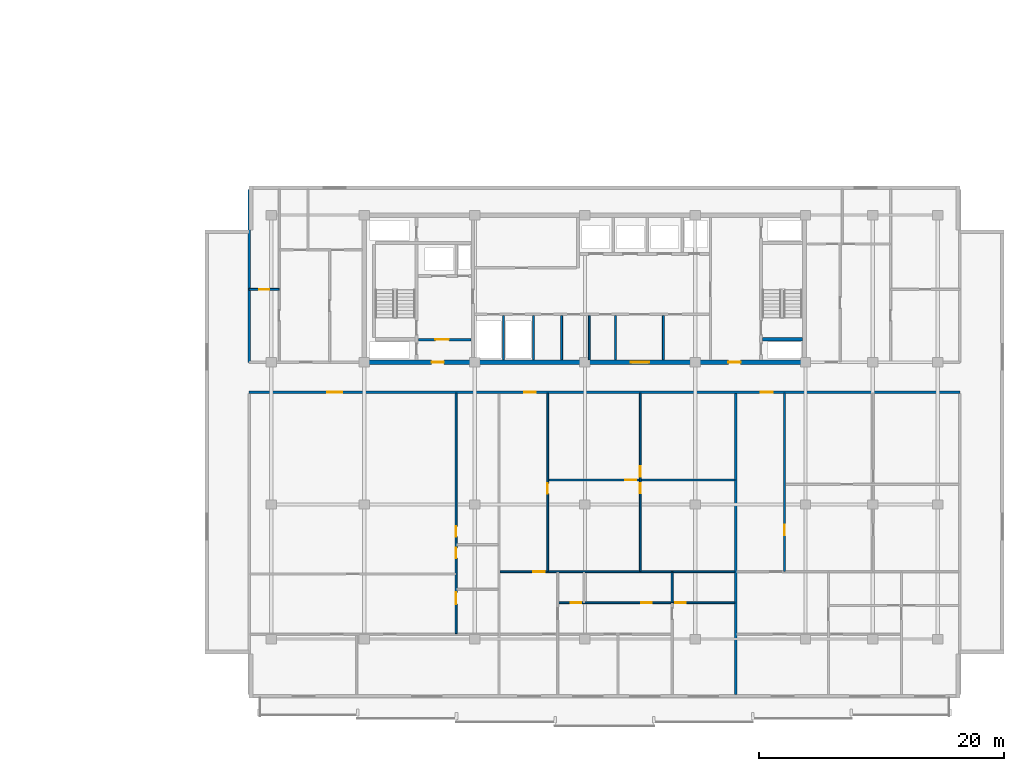
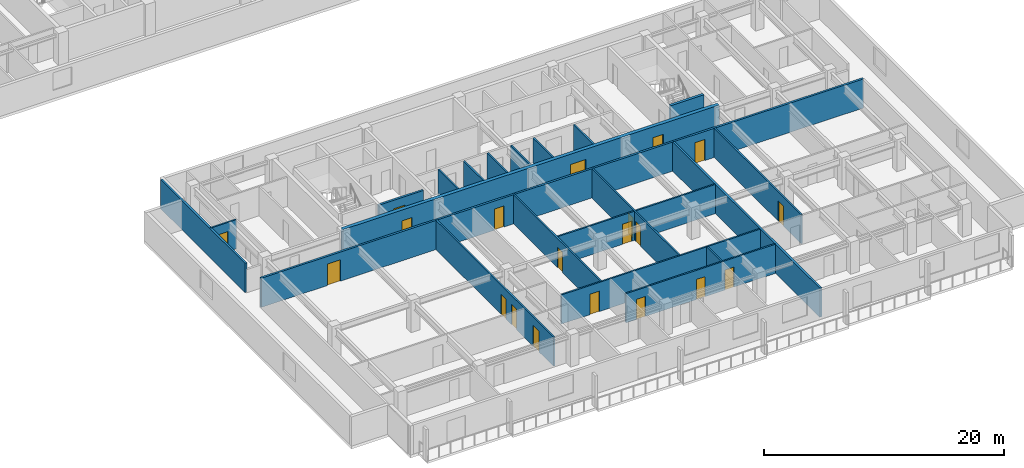
# One storey, part 5 of 21: 21 walls, 20 doors, 20 openings.
"""IFC4 building model written with IfcOpenShell, lengths in metres."""

from ifc_helpers import new_model, si_unit, direction, frame, frame_2d, origin, place, context, subcontext, project, spatial, rectangle, extrude, material, layer, layer_set, type_object, element, fill, save


model = new_model("IFC4")

# Units and contexts
model_context = context("Model", 3, precision=1e-05, world=origin(), true_north=direction((0.0, 1.0)))
body_context = subcontext(model_context, "Body", "Model", "MODEL_VIEW")
ifc_project = project(units=[si_unit("LENGTHUNIT", "METRE"), si_unit("AREAUNIT", "SQUARE_METRE"), si_unit("VOLUMEUNIT", "CUBIC_METRE"), si_unit("PLANEANGLEUNIT", "RADIAN"), si_unit("MASSUNIT", "GRAM", prefix="KILO")], contexts=[model_context])

# Site, building, storey
site_placement = place(None, origin())
site = spatial("IfcSite", under=ifc_project, at=site_placement, CompositionType="ELEMENT")
building_placement = place(site_placement, origin())
building = spatial("IfcBuilding", under=site, at=building_placement, Name="Korimba Cascade Residences", CompositionType="ELEMENT")
storey_placement = place(building_placement, frame((0.0, 0.0, 116.550048828125)))
storey = spatial("IfcBuildingStorey", under=building, at=storey_placement, Name="L33", CompositionType="ELEMENT", Elevation=116.550048828125)

# Wall, openings, doors
ifc_material_1 = material(Name="Concrete C65/80", Category="concrete")
ifc_layer_1 = layer(ifc_material_1, 0.35009765625)
ifc_layer_set_1 = layer_set([ifc_layer_1], Name="Concrete C65/80")
wall_type_1 = type_object("IfcWallType", Name="WAL-CORE-350", PredefinedType="SHEAR", material=ifc_layer_set_1)
wall_1_placement = place(storey_placement, frame((81.925048828125, 18.39990234375, 0.0), z_axis=(0.0, 0.0, 1.0), x_axis=(1.0, 0.0, 0.0)))
wall_1 = element("IfcWall", 1, at=wall_1_placement, inside=storey, type_object=wall_type_1, Name="L33 Core Shear Wall CW-L33-T2-S", PredefinedType="SHEAR", context=body_context, shape_type="SweptSolid", body=[
    extrude(rectangle(XDim=36.264892578125, YDim=0.35009765625, at=frame_2d((18.13232421875, 0.0))), origin(), (0.0, 0.0, 1.0), 3.25),
])
opening_1_placement = place(wall_1_placement, frame((5.675048828125, 0.0, 0.0)))
opening_1 = element("IfcOpeningElement", 2, at=opening_1_placement, cuts=wall_1, Name="Opening D-FD5", PredefinedType="OPENING", context=body_context, shape_type="SweptSolid", body=[
    extrude(rectangle(XDim=1.0, YDim=2.14990234375, at=frame_2d((0.5, 1.074951171875))), frame((0.0, 0.18505859375, 0.0), z_axis=(0.0, -1.0, 0.0), x_axis=(1.0, 0.0, 0.0)), (0.0, 0.0, 1.0), 0.3701171875),
])
opening_2_placement = place(wall_1_placement, frame((21.925048828125, 0.0, 0.0)))
opening_2 = element("IfcOpeningElement", 3, at=opening_2_placement, cuts=wall_1, Name="Opening D-FD8", PredefinedType="OPENING", context=body_context, shape_type="SweptSolid", body=[
    extrude(rectangle(XDim=1.5, YDim=2.199951171875, at=frame_2d((0.75, 1.10009765625))), frame((0.0, 0.18505859375, 0.0), z_axis=(0.0, -1.0, 0.0), x_axis=(1.0, 0.0, 0.0)), (0.0, 0.0, 1.0), 0.3701171875),
])
opening_3_placement = place(wall_1_placement, frame((29.875, 0.0, 0.0)))
opening_3 = element("IfcOpeningElement", 4, at=opening_3_placement, cuts=wall_1, Name="Opening D-FD5", PredefinedType="OPENING", context=body_context, shape_type="SweptSolid", body=[
    extrude(rectangle(XDim=1.0, YDim=2.14990234375, at=frame_2d((0.5, 1.074951171875))), frame((0.0, 0.18505859375, 0.0), z_axis=(0.0, -1.0, 0.0), x_axis=(1.0, 0.0, 0.0)), (0.0, 0.0, 1.0), 0.3701171875),
])
ifc_material_2 = material(Name="Fire-Rated Acoustic Timber Vestibule Door", Category="wood")
door_type_1 = type_object("IfcDoorType", Name="DR-FD90-1000", OperationType="NOTDEFINED", PredefinedType="DOOR", material=ifc_material_2)
door_1_placement = place(opening_1_placement, origin())
door_1 = element("IfcDoor", 5, at=door_1_placement, inside=storey, type_object=door_type_1, Name="L33 T2 West Core Vestibule Fire Door", OperationType="SINGLE_SWING_RIGHT", OverallHeight=2.14990234375, OverallWidth=1.0, PredefinedType="DOOR", context=body_context, shape_type="SweptSolid", body=[
    extrude(rectangle(XDim=1.0, YDim=2.14990234375, at=frame_2d((0.5, 1.074951171875))), frame((0.0, 0.02490234375, 0.0), z_axis=(0.0, -1.0, 0.0), x_axis=(1.0, 0.0, 0.0)), (0.0, 0.0, 1.0), 0.050048828125),
])
fill(opening_1, door_1)
door_2_placement = place(opening_3_placement, origin())
door_2 = element("IfcDoor", 6, at=door_2_placement, inside=storey, type_object=door_type_1, Name="L33 T2 East Stair Vestibule Fire Door", OperationType="SINGLE_SWING_LEFT", OverallHeight=2.14990234375, OverallWidth=1.0, PredefinedType="DOOR", context=body_context, shape_type="SweptSolid", body=[
    extrude(rectangle(XDim=1.0, YDim=2.14990234375, at=frame_2d((0.5, 1.074951171875))), frame((0.0, 0.02490234375, 0.0), z_axis=(0.0, -1.0, 0.0), x_axis=(1.0, 0.0, 0.0)), (0.0, 0.0, 1.0), 0.050048828125),
])
fill(opening_3, door_2)
ifc_material_3 = material(Name="Fire-Rated Glazed Lift Lobby Double Door", Category="glass")
door_type_2 = type_object("IfcDoorType", Name="DR-FD90-1500", OperationType="NOTDEFINED", PredefinedType="DOOR", material=ifc_material_3)
door_3_placement = place(opening_2_placement, origin())
door_3 = element("IfcDoor", 7, at=door_3_placement, inside=storey, type_object=door_type_2, Name="L33 T2 Lift Lobby Fire Door", OperationType="DOUBLE_DOOR_SINGLE_SWING", OverallHeight=2.199951171875, OverallWidth=1.5, PredefinedType="DOOR", context=body_context, shape_type="SweptSolid", body=[
    extrude(rectangle(XDim=1.5, YDim=2.199951171875, at=frame_2d((0.75, 1.10009765625))), frame((0.0, 0.02490234375, 0.0), z_axis=(0.0, -1.0, 0.0), x_axis=(1.0, 0.0, 0.0)), (0.0, 0.0, 1.0), 0.050048828125),
])
fill(opening_2, door_3)

# Walls
ifc_material_4 = material(Name="Precast concrete C40/50", Category="concrete")
ifc_layer_2 = layer(ifc_material_4, 0.199951171875)
ifc_layer_set_2 = layer_set([ifc_layer_2], Name="Precast concrete C40/50")
wall_type_2 = type_object("IfcWallType", Name="WAL-IT-200", PredefinedType="PARTITIONING", material=ifc_layer_set_2)
wall_2_placement = place(storey_placement, frame((72.699951171875, 18.39990234375, 0.0), z_axis=(0.0, 0.0, 1.0), x_axis=(0.0, 1.0, 0.0)))
element("IfcWall", 8, at=wall_2_placement, inside=storey, type_object=wall_type_2, Name="L33 Partition Wall WAL-L33-T2-FW-WL", PredefinedType="PARTITIONING", context=body_context, shape_type="SweptSolid", body=[
    extrude(rectangle(XDim=14.10009765625, YDim=0.199951171875, at=frame_2d((7.050048828125, 0.0))), origin(), (0.0, 0.0, 1.0), 2.969970703125),
])
wall_3_placement = place(storey_placement, frame((112.422607421875, -8.699951171875, 0.0), z_axis=(0.0, 0.0, 1.0), x_axis=(0.0, 1.0, 0.0)))
element("IfcWall", 9, at=wall_3_placement, inside=storey, type_object=wall_type_2, Name="L33 Partition Wall WAL-L33-T2-DEM-2", PredefinedType="PARTITIONING", context=body_context, shape_type="SweptSolid", body=[
    extrude(rectangle(XDim=24.570068359375, YDim=0.199951171875, at=frame_2d((12.28515625, 0.0))), origin(), (0.0, 0.0, 1.0), 2.969970703125),
])

# Wall, openings, doors
wall_4_placement = place(storey_placement, frame((72.699951171875, 15.949951171875, 0.0), z_axis=(0.0, 0.0, 1.0), x_axis=(1.0, 0.0, 0.0)))
wall_4 = element("IfcWall", 10, at=wall_4_placement, inside=storey, type_object=wall_type_2, Name="L33 Partition Wall WAL-L33-T2-CORS", PredefinedType="PARTITIONING", context=body_context, shape_type="SweptSolid", body=[
    extrude(rectangle(XDim=58.0, YDim=0.199951171875, at=frame_2d((29.0, 0.0))), origin(), (0.0, 0.0, 1.0), 2.969970703125),
])
opening_4_placement = place(wall_4_placement, frame((6.390380859375, 0.0, 0.0)))
opening_4 = element("IfcOpeningElement", 11, at=opening_4_placement, cuts=wall_4, Name="Opening D-AM1", PredefinedType="OPENING", context=body_context, shape_type="SweptSolid", body=[
    extrude(rectangle(XDim=1.219970703125, YDim=2.179931640625, at=frame_2d((0.60986328125, 1.08984375))), frame((0.0, 0.10986328125, 0.0), z_axis=(0.0, -1.0, 0.0), x_axis=(1.0, 0.0, 0.0)), (0.0, 0.0, 1.0), 0.219970703125),
])
opening_5_placement = place(wall_4_placement, frame((22.435791015625, 0.0, 0.0)))
opening_5 = element("IfcOpeningElement", 12, at=opening_5_placement, cuts=wall_4, Name="Opening D-UN1", PredefinedType="OPENING", context=body_context, shape_type="SweptSolid", body=[
    extrude(rectangle(XDim=0.949951171875, YDim=2.14990234375, at=frame_2d((0.47509765625, 1.074951171875))), frame((0.0, 0.10986328125, 0.0), z_axis=(0.0, -1.0, 0.0), x_axis=(1.0, 0.0, 0.0)), (0.0, 0.0, 1.0), 0.219970703125),
])
opening_6_placement = place(wall_4_placement, frame((41.767578125, 0.0, 0.0)))
opening_6 = element("IfcOpeningElement", 13, at=opening_6_placement, cuts=wall_4, Name="Opening D-UN1", PredefinedType="OPENING", context=body_context, shape_type="SweptSolid", body=[
    extrude(rectangle(XDim=0.949951171875, YDim=2.14990234375, at=frame_2d((0.47509765625, 1.074951171875))), frame((0.0, 0.10986328125, 0.0), z_axis=(0.0, -1.0, 0.0), x_axis=(1.0, 0.0, 0.0)), (0.0, 0.0, 1.0), 0.219970703125),
])
ifc_material_5 = material(Name="Fire-Rated Glazed Timber Suite Door", Category="wood")
door_type_3 = type_object("IfcDoorType", Name="DR-FD60-1200", OperationType="NOTDEFINED", PredefinedType="DOOR", material=ifc_material_5)
door_4_placement = place(opening_4_placement, origin())
door_4 = element("IfcDoor", 14, at=door_4_placement, inside=storey, type_object=door_type_3, Name="L33-T2-U01 Health Consultation Clinic Door", OperationType="SINGLE_SWING_RIGHT", OverallHeight=2.179931640625, OverallWidth=1.219970703125, PredefinedType="DOOR", context=body_context, shape_type="SweptSolid", body=[
    extrude(rectangle(XDim=1.219970703125, YDim=2.179931640625, at=frame_2d((0.60986328125, 1.08984375))), frame((0.0, 0.02490234375, 0.0), z_axis=(0.0, -1.0, 0.0), x_axis=(1.0, 0.0, 0.0)), (0.0, 0.0, 1.0), 0.050048828125),
])
fill(opening_4, door_4)
ifc_material_6 = material(Name="Fire-Rated Hardwood Apartment Entrance Door", Category="wood")
door_type_4 = type_object("IfcDoorType", Name="DR-FD60-950", OperationType="NOTDEFINED", PredefinedType="DOOR", material=ifc_material_6)
door_5_placement = place(opening_5_placement, origin())
door_5 = element("IfcDoor", 15, at=door_5_placement, inside=storey, type_object=door_type_4, Name="Unit L33-T2-U02 Entrance Door", OperationType="SINGLE_SWING_LEFT", OverallHeight=2.14990234375, OverallWidth=0.949951171875, PredefinedType="DOOR", context=body_context, shape_type="SweptSolid", body=[
    extrude(rectangle(XDim=0.949951171875, YDim=2.14990234375, at=frame_2d((0.47509765625, 1.074951171875))), frame((0.0, 0.02490234375, 0.0), z_axis=(0.0, -1.0, 0.0), x_axis=(1.0, 0.0, 0.0)), (0.0, 0.0, 1.0), 0.050048828125),
])
fill(opening_5, door_5)
door_6_placement = place(opening_6_placement, origin())
door_6 = element("IfcDoor", 16, at=door_6_placement, inside=storey, type_object=door_type_4, Name="Unit L33-T2-U03 Entrance Door", OperationType="SINGLE_SWING_RIGHT", OverallHeight=2.14990234375, OverallWidth=0.949951171875, PredefinedType="DOOR", context=body_context, shape_type="SweptSolid", body=[
    extrude(rectangle(XDim=0.949951171875, YDim=2.14990234375, at=frame_2d((0.47509765625, 1.074951171875))), frame((0.0, 0.02490234375, 0.0), z_axis=(0.0, -1.0, 0.0), x_axis=(1.0, 0.0, 0.0)), (0.0, 0.0, 1.0), 0.050048828125),
])
fill(opening_6, door_6)

# Walls
ifc_material_7 = material(Name="Insulated Acoustic Stud Partition", Category="gypsum")
ifc_layer_3 = layer(ifc_material_7, 0.14990234375)
ifc_layer_set_3 = layer_set([ifc_layer_3], Name="Insulated Acoustic Stud Partition")
wall_type_3 = type_object("IfcWallType", Name="WAL-PART-150", PredefinedType="PARTITIONING", material=ifc_layer_set_3)
for number, where, z_axis, x_axis, name in (
    (17, (93.449951171875, 18.60009765625, 0.0), (0.0, 0.0, 1.0), (0.0, 1.0, 0.0), "L33 Partition Wall CW-L33-T2-ERDIV"),
    (18, (95.89990234375, 18.60009765625, 0.0), (0.0, 0.0, 1.0), (0.0, 1.0, 0.0), "L33 Partition Wall CW-L33-T2-PRDIV"),
    (19, (98.199951171875, 18.60009765625, 0.0), (0.0, 0.0, 1.0), (0.0, 1.0, 0.0), "L33 Partition Wall CW-L33-T2-CA1W1"),
    (20, (100.449951171875, 18.60009765625, 0.0), (0.0, 0.0, 1.0), (0.0, 1.0, 0.0), "L33 Partition Wall CW-L33-T2-CA1W2"),
    (21, (102.60009765625, 18.60009765625, 0.0), (0.0, 0.0, 1.0), (0.0, 1.0, 0.0), "L33 Partition Wall CW-L33-T2-THW"),
    (22, (106.5, 18.60009765625, 0.0), (0.0, 0.0, 1.0), (0.0, 1.0, 0.0), "L33 Partition Wall CW-L33-T2-THE"),
):
    element("IfcWall", number, at=place(storey_placement, frame(where, z_axis=z_axis, x_axis=x_axis)), inside=storey, type_object=wall_type_3, Name=name, PredefinedType="PARTITIONING", context=body_context, shape_type="SweptSolid", body=[
        extrude(rectangle(XDim=3.599853515625, YDim=0.14990234375, at=frame_2d((1.7998046875, 0.0))), origin(), (0.0, 0.0, 1.0), 2.969970703125),
    ])

# Wall, opening, door
wall_5_placement = place(storey_placement, frame((72.699951171875, 24.35009765625, 0.0), z_axis=(0.0, 0.0, 1.0), x_axis=(1.0, 0.0, 0.0)))
wall_5 = element("IfcWall", 23, at=wall_5_placement, inside=storey, type_object=wall_type_3, Name="L33 Partition Wall WAL-L33-T2-FW-STH", PredefinedType="PARTITIONING", context=body_context, shape_type="SweptSolid", body=[
    extrude(rectangle(XDim=2.449951171875, YDim=0.14990234375, at=frame_2d((1.22509765625, 0.0))), origin(), (0.0, 0.0, 1.0), 2.969970703125),
])
opening_7_placement = place(wall_5_placement, frame((0.804931640625, 0.0, 0.0)))
opening_7 = element("IfcOpeningElement", 24, at=opening_7_placement, cuts=wall_5, Name="Opening D-BT1", PredefinedType="OPENING", context=body_context, shape_type="SweptSolid", body=[
    extrude(rectangle(XDim=0.840087890625, YDim=2.0400390625, at=frame_2d((0.419921875, 1.02001953125))), frame((0.0, 0.0849609375, 0.0), z_axis=(0.0, -1.0, 0.0), x_axis=(1.0, 0.0, 0.0)), (0.0, 0.0, 1.0), 0.169921875),
])
ifc_material_8 = material(Name="Moisture-Resistant Bathroom Timber Door", Category="wood")
door_type_5 = type_object("IfcDoorType", Name="DR-INT-850", OperationType="NOTDEFINED", PredefinedType="DOOR", material=ifc_material_8)
door_7_placement = place(opening_7_placement, origin())
door_7 = element("IfcDoor", 25, at=door_7_placement, inside=storey, type_object=door_type_5, Name="L33-T2-FW Dressing Store Door", OperationType="SINGLE_SWING_RIGHT", OverallHeight=2.0400390625, OverallWidth=0.840087890625, PredefinedType="DOOR", context=body_context, shape_type="SweptSolid", body=[
    extrude(rectangle(XDim=0.840087890625, YDim=2.0400390625, at=frame_2d((0.419921875, 1.02001953125))), frame((0.0, 0.02490234375, 0.0), z_axis=(0.0, -1.0, 0.0), x_axis=(1.0, 0.0, 0.0)), (0.0, 0.0, 1.0), 0.050048828125),
])
fill(opening_7, door_7)

# Wall, openings, doors
wall_6_placement = place(storey_placement, frame((89.5908203125, -3.739990234375, 0.0), z_axis=(0.0, 0.0, 1.0), x_axis=(0.0, 1.0, 0.0)))
wall_6 = element("IfcWall", 26, at=wall_6_placement, inside=storey, type_object=wall_type_3, Name="L33 Partition Wall WAL-L33-T2-U01-WCV", PredefinedType="PARTITIONING", context=body_context, shape_type="SweptSolid", body=[
    extrude(rectangle(XDim=19.6298828125, YDim=0.14990234375, at=frame_2d((9.81494140625, 0.0))), origin(), (0.0, 0.0, 1.0), 2.969970703125),
])
opening_8_placement = place(wall_6_placement, frame((2.406005859375, 0.0, 0.0)))
opening_8 = element("IfcOpeningElement", 27, at=opening_8_placement, cuts=wall_6, Name="Opening D-AC1", PredefinedType="OPENING", context=body_context, shape_type="SweptSolid", body=[
    extrude(rectangle(XDim=0.9599609375, YDim=2.10009765625, at=frame_2d((0.47998046875, 1.050048828125))), frame((0.0, 0.0849609375, 0.0), z_axis=(0.0, -1.0, 0.0), x_axis=(1.0, 0.0, 0.0)), (0.0, 0.0, 1.0), 0.169921875),
])
opening_9_placement = place(wall_6_placement, frame((6.132568359375, 0.0, 0.0)))
opening_9 = element("IfcOpeningElement", 28, at=opening_9_placement, cuts=wall_6, Name="Opening D-IN2", PredefinedType="OPENING", context=body_context, shape_type="SweptSolid", body=[
    extrude(rectangle(XDim=0.8798828125, YDim=2.06005859375, at=frame_2d((0.43994140625, 1.030029296875))), frame((0.0, 0.0849609375, 0.0), z_axis=(0.0, -1.0, 0.0), x_axis=(1.0, 0.0, 0.0)), (0.0, 0.0, 1.0), 0.169921875),
])
opening_10_placement = place(wall_6_placement, frame((7.90283203125, 0.0, 0.0)))
opening_10 = element("IfcOpeningElement", 29, at=opening_10_placement, cuts=wall_6, Name="Opening D-BT1", PredefinedType="OPENING", context=body_context, shape_type="SweptSolid", body=[
    extrude(rectangle(XDim=0.840087890625, YDim=2.0400390625, at=frame_2d((0.419921875, 1.02001953125))), frame((0.0, 0.0849609375, 0.0), z_axis=(0.0, -1.0, 0.0), x_axis=(1.0, 0.0, 0.0)), (0.0, 0.0, 1.0), 0.169921875),
])
ifc_material_9 = material(Name="Accessible Acoustic Timber WC Door", Category="wood")
door_type_6 = type_object("IfcDoorType", Name="DR-ACC-950", OperationType="NOTDEFINED", PredefinedType="DOOR", material=ifc_material_9)
door_8_placement = place(opening_8_placement, origin())
door_8 = element("IfcDoor", 30, at=door_8_placement, inside=storey, type_object=door_type_6, Name="L33-T2-U01 Accessible WC Door", OperationType="SINGLE_SWING_LEFT", OverallHeight=2.10009765625, OverallWidth=0.9599609375, PredefinedType="DOOR", context=body_context, shape_type="SweptSolid", body=[
    extrude(rectangle(XDim=0.9599609375, YDim=2.10009765625, at=frame_2d((0.47998046875, 1.050048828125))), frame((0.0, 0.02490234375, 0.0), z_axis=(0.0, -1.0, 0.0), x_axis=(1.0, 0.0, 0.0)), (0.0, 0.0, 1.0), 0.050048828125),
])
fill(opening_8, door_8)
door_9_placement = place(opening_10_placement, origin())
door_9 = element("IfcDoor", 31, at=door_9_placement, inside=storey, type_object=door_type_5, Name="L33-T2-U01 Suite Store Door", OperationType="SINGLE_SWING_LEFT", OverallHeight=2.0400390625, OverallWidth=0.840087890625, PredefinedType="DOOR", context=body_context, shape_type="SweptSolid", body=[
    extrude(rectangle(XDim=0.840087890625, YDim=2.0400390625, at=frame_2d((0.419921875, 1.02001953125))), frame((0.0, 0.02490234375, 0.0), z_axis=(0.0, -1.0, 0.0), x_axis=(1.0, 0.0, 0.0)), (0.0, 0.0, 1.0), 0.050048828125),
])
fill(opening_10, door_9)
ifc_material_10 = material(Name="Acoustic Timber Bedroom Door", Category="wood")
door_type_7 = type_object("IfcDoorType", Name="DR-INT-880", OperationType="NOTDEFINED", PredefinedType="DOOR", material=ifc_material_10)
door_10_placement = place(opening_9_placement, origin())
door_10 = element("IfcDoor", 32, at=door_10_placement, inside=storey, type_object=door_type_7, Name="L33-T2-U01 Restroom WC Door", OperationType="SINGLE_SWING_RIGHT", OverallHeight=2.06005859375, OverallWidth=0.8798828125, PredefinedType="DOOR", context=body_context, shape_type="SweptSolid", body=[
    extrude(rectangle(XDim=0.8798828125, YDim=2.06005859375, at=frame_2d((0.43994140625, 1.030029296875))), frame((0.0, 0.02490234375, 0.0), z_axis=(0.0, -1.0, 0.0), x_axis=(1.0, 0.0, 0.0)), (0.0, 0.0, 1.0), 0.050048828125),
])
fill(opening_9, door_10)

wall_7_placement = place(storey_placement, frame((104.61181640625, 1.340087890625, 0.0), z_axis=(0.0, 0.0, 1.0), x_axis=(0.0, 1.0, 0.0)))
wall_7 = element("IfcWall", 33, at=wall_7_placement, inside=storey, type_object=wall_type_3, Name="L33 Partition Wall WAL-L33-T2-U02-FMV", PredefinedType="PARTITIONING", context=body_context, shape_type="SweptSolid", body=[
    extrude(rectangle(XDim=14.5498046875, YDim=0.14990234375, at=frame_2d((7.27490234375, 0.0))), origin(), (0.0, 0.0, 1.0), 2.969970703125),
])
opening_11_placement = place(wall_7_placement, frame((6.364990234375, 0.0, 0.0)))
opening_11 = element("IfcOpeningElement", 34, at=opening_11_placement, cuts=wall_7, Name="Opening D-BT1", PredefinedType="OPENING", context=body_context, shape_type="SweptSolid", body=[
    extrude(rectangle(XDim=0.840087890625, YDim=2.0400390625, at=frame_2d((0.419921875, 1.02001953125))), frame((0.0, 0.0849609375, 0.0), z_axis=(0.0, -1.0, 0.0), x_axis=(1.0, 0.0, 0.0)), (0.0, 0.0, 1.0), 0.169921875),
])
opening_12_placement = place(wall_7_placement, frame((7.705078125, 0.0, 0.0)))
opening_12 = element("IfcOpeningElement", 35, at=opening_12_placement, cuts=wall_7, Name="Opening D-IN2", PredefinedType="OPENING", context=body_context, shape_type="SweptSolid", body=[
    extrude(rectangle(XDim=0.8798828125, YDim=2.06005859375, at=frame_2d((0.43994140625, 1.030029296875))), frame((0.0, 0.0849609375, 0.0), z_axis=(0.0, -1.0, 0.0), x_axis=(1.0, 0.0, 0.0)), (0.0, 0.0, 1.0), 0.169921875),
])
door_11_placement = place(opening_11_placement, origin())
door_11 = element("IfcDoor", 36, at=door_11_placement, inside=storey, type_object=door_type_5, Name="L33-T2-U02 Wardrobe Door", OperationType="SINGLE_SWING_RIGHT", OverallHeight=2.0400390625, OverallWidth=0.840087890625, PredefinedType="DOOR", context=body_context, shape_type="SweptSolid", body=[
    extrude(rectangle(XDim=0.840087890625, YDim=2.0400390625, at=frame_2d((0.419921875, 1.02001953125))), frame((0.0, 0.02490234375, 0.0), z_axis=(0.0, -1.0, 0.0), x_axis=(1.0, 0.0, 0.0)), (0.0, 0.0, 1.0), 0.050048828125),
])
fill(opening_11, door_11)
door_12_placement = place(opening_12_placement, origin())
door_12 = element("IfcDoor", 37, at=door_12_placement, inside=storey, type_object=door_type_7, Name="L33-T2-U02 Music Lounge Door", OperationType="SINGLE_SWING_LEFT", OverallHeight=2.06005859375, OverallWidth=0.8798828125, PredefinedType="DOOR", context=body_context, shape_type="SweptSolid", body=[
    extrude(rectangle(XDim=0.8798828125, YDim=2.06005859375, at=frame_2d((0.43994140625, 1.030029296875))), frame((0.0, 0.02490234375, 0.0), z_axis=(0.0, -1.0, 0.0), x_axis=(1.0, 0.0, 0.0)), (0.0, 0.0, 1.0), 0.050048828125),
])
fill(opening_12, door_12)

# Wall, opening, door
wall_8_placement = place(storey_placement, frame((97.120849609375, 8.794921875, 0.0), z_axis=(0.0, 0.0, 1.0), x_axis=(1.0, 0.0, 0.0)))
wall_8 = element("IfcWall", 38, at=wall_8_placement, inside=storey, type_object=wall_type_3, Name="L33 Partition Wall WAL-L33-T2-U02-FMH", PredefinedType="PARTITIONING", context=body_context, shape_type="SweptSolid", body=[
    extrude(rectangle(XDim=15.221923828125, YDim=0.14990234375, at=frame_2d((7.61083984375, 0.0))), origin(), (0.0, 0.0, 1.0), 2.969970703125),
])
opening_13_placement = place(wall_8_placement, frame((6.27001953125, 0.0, 0.0)))
opening_13 = element("IfcOpeningElement", 39, at=opening_13_placement, cuts=wall_8, Name="Opening D-IN2", PredefinedType="OPENING", context=body_context, shape_type="SweptSolid", body=[
    extrude(rectangle(XDim=0.8798828125, YDim=2.06005859375, at=frame_2d((0.43994140625, 1.030029296875))), frame((0.0, 0.0849609375, 0.0), z_axis=(0.0, -1.0, 0.0), x_axis=(1.0, 0.0, 0.0)), (0.0, 0.0, 1.0), 0.169921875),
])
door_13_placement = place(opening_13_placement, origin())
door_13 = element("IfcDoor", 40, at=door_13_placement, inside=storey, type_object=door_type_7, Name="L33-T2-U02 Library Salon Door", OperationType="SINGLE_SWING_RIGHT", OverallHeight=2.06005859375, OverallWidth=0.8798828125, PredefinedType="DOOR", context=body_context, shape_type="SweptSolid", body=[
    extrude(rectangle(XDim=0.8798828125, YDim=2.06005859375, at=frame_2d((0.43994140625, 1.030029296875))), frame((0.0, 0.02490234375, 0.0), z_axis=(0.0, -1.0, 0.0), x_axis=(1.0, 0.0, 0.0)), (0.0, 0.0, 1.0), 0.050048828125),
])
fill(opening_13, door_13)

wall_9_placement = place(storey_placement, frame((97.060791015625, 1.340087890625, 0.0), z_axis=(0.0, 0.0, 1.0), x_axis=(0.0, 1.0, 0.0)))
wall_9 = element("IfcWall", 41, at=wall_9_placement, inside=storey, type_object=wall_type_3, Name="L33 Partition Wall WAL-L33-T2-U02-FV", PredefinedType="PARTITIONING", context=body_context, shape_type="SweptSolid", body=[
    extrude(rectangle(XDim=14.5498046875, YDim=0.14990234375, at=frame_2d((7.27490234375, 0.0))), origin(), (0.0, 0.0, 1.0), 2.969970703125),
])
opening_14_placement = place(wall_9_placement, frame((6.324951171875, 0.0, 0.0)))
opening_14 = element("IfcOpeningElement", 42, at=opening_14_placement, cuts=wall_9, Name="Opening D-IN2", PredefinedType="OPENING", context=body_context, shape_type="SweptSolid", body=[
    extrude(rectangle(XDim=0.8798828125, YDim=2.06005859375, at=frame_2d((0.43994140625, 1.030029296875))), frame((0.0, 0.0849609375, 0.0), z_axis=(0.0, -1.0, 0.0), x_axis=(1.0, 0.0, 0.0)), (0.0, 0.0, 1.0), 0.169921875),
])
door_14_placement = place(opening_14_placement, origin())
door_14 = element("IfcDoor", 43, at=door_14_placement, inside=storey, type_object=door_type_7, Name="L33-T2-U02 Media Lounge Door", OperationType="SINGLE_SWING_LEFT", OverallHeight=2.06005859375, OverallWidth=0.8798828125, PredefinedType="DOOR", context=body_context, shape_type="SweptSolid", body=[
    extrude(rectangle(XDim=0.8798828125, YDim=2.06005859375, at=frame_2d((0.43994140625, 1.030029296875))), frame((0.0, 0.02490234375, 0.0), z_axis=(0.0, -1.0, 0.0), x_axis=(1.0, 0.0, 0.0)), (0.0, 0.0, 1.0), 0.050048828125),
])
fill(opening_14, door_14)

# Wall
wall_10_placement = place(storey_placement, frame((107.219970703125, -1.2099609375, 0.0), z_axis=(0.0, 0.0, 1.0), x_axis=(0.0, 1.0, 0.0)))
element("IfcWall", 44, at=wall_10_placement, inside=storey, type_object=wall_type_3, Name="L33 Partition Wall WAL-L33-T2-U02-VBATH", PredefinedType="PARTITIONING", context=body_context, shape_type="SweptSolid", body=[
    extrude(rectangle(XDim=2.469970703125, YDim=0.14990234375, at=frame_2d((1.23486328125, 0.0))), origin(), (0.0, 0.0, 1.0), 2.969970703125),
])

# Wall, openings, doors
wall_11_placement = place(storey_placement, frame((97.9208984375, -1.22998046875, 0.0), z_axis=(0.0, 0.0, 1.0), x_axis=(1.0, 0.0, 0.0)))
wall_11 = element("IfcWall", 45, at=wall_11_placement, inside=storey, type_object=wall_type_3, Name="L33 Partition Wall WAL-L33-T2-U02-HWALL", PredefinedType="PARTITIONING", context=body_context, shape_type="SweptSolid", body=[
    extrude(rectangle(XDim=14.421875, YDim=0.14990234375, at=frame_2d((7.2109375, 0.0))), origin(), (0.0, 0.0, 1.0), 2.969970703125),
])
opening_15_placement = place(wall_11_placement, frame((1.033935546875, 0.0, 0.0)))
opening_15 = element("IfcOpeningElement", 46, at=opening_15_placement, cuts=wall_11, Name="Opening D-BT1", PredefinedType="OPENING", context=body_context, shape_type="SweptSolid", body=[
    extrude(rectangle(XDim=0.840087890625, YDim=2.0400390625, at=frame_2d((0.419921875, 1.02001953125))), frame((0.0, 0.0849609375, 0.0), z_axis=(0.0, -1.0, 0.0), x_axis=(1.0, 0.0, 0.0)), (0.0, 0.0, 1.0), 0.169921875),
])
opening_16_placement = place(wall_11_placement, frame((6.791015625, 0.0, 0.0)))
opening_16 = element("IfcOpeningElement", 47, at=opening_16_placement, cuts=wall_11, Name="Opening D-BT1", PredefinedType="OPENING", context=body_context, shape_type="SweptSolid", body=[
    extrude(rectangle(XDim=0.840087890625, YDim=2.0400390625, at=frame_2d((0.419921875, 1.02001953125))), frame((0.0, 0.0849609375, 0.0), z_axis=(0.0, -1.0, 0.0), x_axis=(1.0, 0.0, 0.0)), (0.0, 0.0, 1.0), 0.169921875),
])
opening_17_placement = place(wall_11_placement, frame((9.549072265625, 0.0, 0.0)))
opening_17 = element("IfcOpeningElement", 48, at=opening_17_placement, cuts=wall_11, Name="Opening D-BT1", PredefinedType="OPENING", context=body_context, shape_type="SweptSolid", body=[
    extrude(rectangle(XDim=0.840087890625, YDim=2.0400390625, at=frame_2d((0.419921875, 1.02001953125))), frame((0.0, 0.0849609375, 0.0), z_axis=(0.0, -1.0, 0.0), x_axis=(1.0, 0.0, 0.0)), (0.0, 0.0, 1.0), 0.169921875),
])
door_15_placement = place(opening_15_placement, origin())
door_15 = element("IfcDoor", 49, at=door_15_placement, inside=storey, type_object=door_type_5, Name="L33-T2-U02 Family Bathroom Door", OperationType="SINGLE_SWING_RIGHT", OverallHeight=2.0400390625, OverallWidth=0.840087890625, PredefinedType="DOOR", context=body_context, shape_type="SweptSolid", body=[
    extrude(rectangle(XDim=0.840087890625, YDim=2.0400390625, at=frame_2d((0.419921875, 1.02001953125))), frame((0.0, 0.02490234375, 0.0), z_axis=(0.0, -1.0, 0.0), x_axis=(1.0, 0.0, 0.0)), (0.0, 0.0, 1.0), 0.050048828125),
])
fill(opening_15, door_15)
door_16_placement = place(opening_16_placement, origin())
door_16 = element("IfcDoor", 50, at=door_16_placement, inside=storey, type_object=door_type_5, Name="L33-T2-U02 Dressing Room Door", OperationType="SINGLE_SWING_LEFT", OverallHeight=2.0400390625, OverallWidth=0.840087890625, PredefinedType="DOOR", context=body_context, shape_type="SweptSolid", body=[
    extrude(rectangle(XDim=0.840087890625, YDim=2.0400390625, at=frame_2d((0.419921875, 1.02001953125))), frame((0.0, 0.02490234375, 0.0), z_axis=(0.0, -1.0, 0.0), x_axis=(1.0, 0.0, 0.0)), (0.0, 0.0, 1.0), 0.050048828125),
])
fill(opening_16, door_16)
door_17_placement = place(opening_17_placement, origin())
door_17 = element("IfcDoor", 51, at=door_17_placement, inside=storey, type_object=door_type_5, Name="L33-T2-U02 En-Suite Door", OperationType="SINGLE_SWING_RIGHT", OverallHeight=2.0400390625, OverallWidth=0.840087890625, PredefinedType="DOOR", context=body_context, shape_type="SweptSolid", body=[
    extrude(rectangle(XDim=0.840087890625, YDim=2.0400390625, at=frame_2d((0.419921875, 1.02001953125))), frame((0.0, 0.02490234375, 0.0), z_axis=(0.0, -1.0, 0.0), x_axis=(1.0, 0.0, 0.0)), (0.0, 0.0, 1.0), 0.050048828125),
])
fill(opening_17, door_17)

# Wall, opening, door
wall_12_placement = place(storey_placement, frame((93.1708984375, 1.300048828125, 0.0), z_axis=(0.0, 0.0, 1.0), x_axis=(1.0, 0.0, 0.0)))
wall_12 = element("IfcWall", 52, at=wall_12_placement, inside=storey, type_object=wall_type_3, Name="L33 Partition Wall WAL-L33-T2-U02-MW", PredefinedType="PARTITIONING", context=body_context, shape_type="SweptSolid", body=[
    extrude(rectangle(XDim=19.171875, YDim=0.14990234375, at=frame_2d((9.5859375, 0.0))), origin(), (0.0, 0.0, 1.0), 2.969970703125),
])
opening_18_placement = place(wall_12_placement, frame((2.719970703125, 0.0, 0.0)))
opening_18 = element("IfcOpeningElement", 53, at=opening_18_placement, cuts=wall_12, Name="Opening D-IN1", PredefinedType="OPENING", context=body_context, shape_type="SweptSolid", body=[
    extrude(rectangle(XDim=0.919921875, YDim=2.080078125, at=frame_2d((0.4599609375, 1.0400390625))), frame((0.0, 0.0849609375, 0.0), z_axis=(0.0, -1.0, 0.0), x_axis=(1.0, 0.0, 0.0)), (0.0, 0.0, 1.0), 0.169921875),
])
ifc_material_11 = material(Name="Acoustic Timber Living Door", Category="wood")
door_type_8 = type_object("IfcDoorType", Name="DR-INT-920", OperationType="NOTDEFINED", PredefinedType="DOOR", material=ifc_material_11)
door_18_placement = place(opening_18_placement, origin())
door_18 = element("IfcDoor", 54, at=door_18_placement, inside=storey, type_object=door_type_8, Name="L33-T2-U02 Kitchen Door", OperationType="SINGLE_SWING_LEFT", OverallHeight=2.080078125, OverallWidth=0.919921875, PredefinedType="DOOR", context=body_context, shape_type="SweptSolid", body=[
    extrude(rectangle(XDim=0.919921875, YDim=2.080078125, at=frame_2d((0.4599609375, 1.0400390625))), frame((0.0, 0.02490234375, 0.0), z_axis=(0.0, -1.0, 0.0), x_axis=(1.0, 0.0, 0.0)), (0.0, 0.0, 1.0), 0.050048828125),
])
fill(opening_18, door_18)

wall_13_placement = place(storey_placement, frame((116.392578125, 1.340087890625, 0.0), z_axis=(0.0, 0.0, 1.0), x_axis=(0.0, 1.0, 0.0)))
wall_13 = element("IfcWall", 55, at=wall_13_placement, inside=storey, type_object=wall_type_3, Name="L33 Partition Wall WAL-L33-T2-U03-FV", PredefinedType="PARTITIONING", context=body_context, shape_type="SweptSolid", body=[
    extrude(rectangle(XDim=14.5498046875, YDim=0.14990234375, at=frame_2d((7.27490234375, 0.0))), origin(), (0.0, 0.0, 1.0), 2.969970703125),
])
opening_19_placement = place(wall_13_placement, frame((2.932861328125, 0.0, 0.0)))
opening_19 = element("IfcOpeningElement", 56, at=opening_19_placement, cuts=wall_13, Name="Opening D-IN2", PredefinedType="OPENING", context=body_context, shape_type="SweptSolid", body=[
    extrude(rectangle(XDim=0.8798828125, YDim=2.06005859375, at=frame_2d((0.43994140625, 1.030029296875))), frame((0.0, 0.0849609375, 0.0), z_axis=(0.0, -1.0, 0.0), x_axis=(1.0, 0.0, 0.0)), (0.0, 0.0, 1.0), 0.169921875),
])
door_19_placement = place(opening_19_placement, origin())
door_19 = element("IfcDoor", 57, at=door_19_placement, inside=storey, type_object=door_type_7, Name="L33-T2-U03 Media Lounge Door", OperationType="SINGLE_SWING_RIGHT", OverallHeight=2.06005859375, OverallWidth=0.8798828125, PredefinedType="DOOR", context=body_context, shape_type="SweptSolid", body=[
    extrude(rectangle(XDim=0.8798828125, YDim=2.06005859375, at=frame_2d((0.43994140625, 1.030029296875))), frame((0.0, 0.02490234375, 0.0), z_axis=(0.0, -1.0, 0.0), x_axis=(1.0, 0.0, 0.0)), (0.0, 0.0, 1.0), 0.050048828125),
])
fill(opening_19, door_19)

ifc_material_12 = material(Name="Concrete C40/50", Category="concrete")
ifc_layer_4 = layer(ifc_material_12, 0.199951171875)
ifc_layer_set_4 = layer_set([ifc_layer_4], Name="Concrete C40/50")
wall_type_4 = type_object("IfcWallType", Name="WAL-PART-200", PredefinedType="PARTITIONING", material=ifc_layer_set_4)
wall_14_placement = place(storey_placement, frame((86.5, 20.25, 0.0), z_axis=(0.0, 0.0, 1.0), x_axis=(1.0, 0.0, 0.0)))
wall_14 = element("IfcWall", 58, at=wall_14_placement, inside=storey, type_object=wall_type_4, Name="L33 Partition Wall CW-L33-T2-FFLS", PredefinedType="PARTITIONING", context=body_context, shape_type="SweptSolid", body=[
    extrude(rectangle(XDim=4.320068359375, YDim=0.199951171875, at=frame_2d((2.16015625, 0.0))), origin(), (0.0, 0.0, 1.0), 2.969970703125),
])
opening_20_placement = place(wall_14_placement, frame((1.39990234375, 0.0, 0.0)))
opening_20 = element("IfcOpeningElement", 59, at=opening_20_placement, cuts=wall_14, Name="Opening D-FD1", PredefinedType="OPENING", context=body_context, shape_type="SweptSolid", body=[
    extrude(rectangle(XDim=1.10009765625, YDim=2.10009765625, at=frame_2d((0.550048828125, 1.050048828125))), frame((0.0, 0.10986328125, 0.0), z_axis=(0.0, -1.0, 0.0), x_axis=(1.0, 0.0, 0.0)), (0.0, 0.0, 1.0), 0.219970703125),
])
ifc_material_13 = material(Name="Fire-Rated Steel Core Door", Category="steel")
door_type_9 = type_object("IfcDoorType", Name="DR-FD120-1100", OperationType="NOTDEFINED", PredefinedType="DOOR", material=ifc_material_13)
door_20_placement = place(opening_20_placement, origin())
door_20 = element("IfcDoor", 60, at=door_20_placement, inside=storey, type_object=door_type_9, Name="L33 T2 Firefighting Lobby Door", OperationType="SINGLE_SWING_RIGHT", OverallHeight=2.10009765625, OverallWidth=1.10009765625, PredefinedType="DOOR", context=body_context, shape_type="SweptSolid", body=[
    extrude(rectangle(XDim=1.10009765625, YDim=2.10009765625, at=frame_2d((0.550048828125, 1.050048828125))), frame((0.0, 0.02490234375, 0.0), z_axis=(0.0, -1.0, 0.0), x_axis=(1.0, 0.0, 0.0)), (0.0, 0.0, 1.0), 0.050048828125),
])
fill(opening_20, door_20)

# Wall
ifc_material_14 = material(Name="Concrete C50/60", Category="concrete")
ifc_layer_5 = layer(ifc_material_14, 0.25)
ifc_layer_set_5 = layer_set([ifc_layer_5], Name="Concrete C50/60")
wall_type_5 = type_object("IfcWallType", Name="WAL-SHAFT-250", PredefinedType="SHEAR", material=ifc_layer_set_5)
wall_15_placement = place(storey_placement, frame((114.60009765625, 20.27490234375, 0.0), z_axis=(0.0, 0.0, 1.0), x_axis=(1.0, 0.0, 0.0)))
element("IfcWall", 61, at=wall_15_placement, inside=storey, type_object=wall_type_5, Name="L33 Core Shear Wall CW-L33-T2-STE2S", PredefinedType="SHEAR", context=body_context, shape_type="SweptSolid", body=[
    extrude(rectangle(XDim=3.239990234375, YDim=0.25, at=frame_2d((1.6201171875, 0.0))), origin(), (0.0, 0.0, 1.0), 3.25),
])

save(model, "model.ifc")
